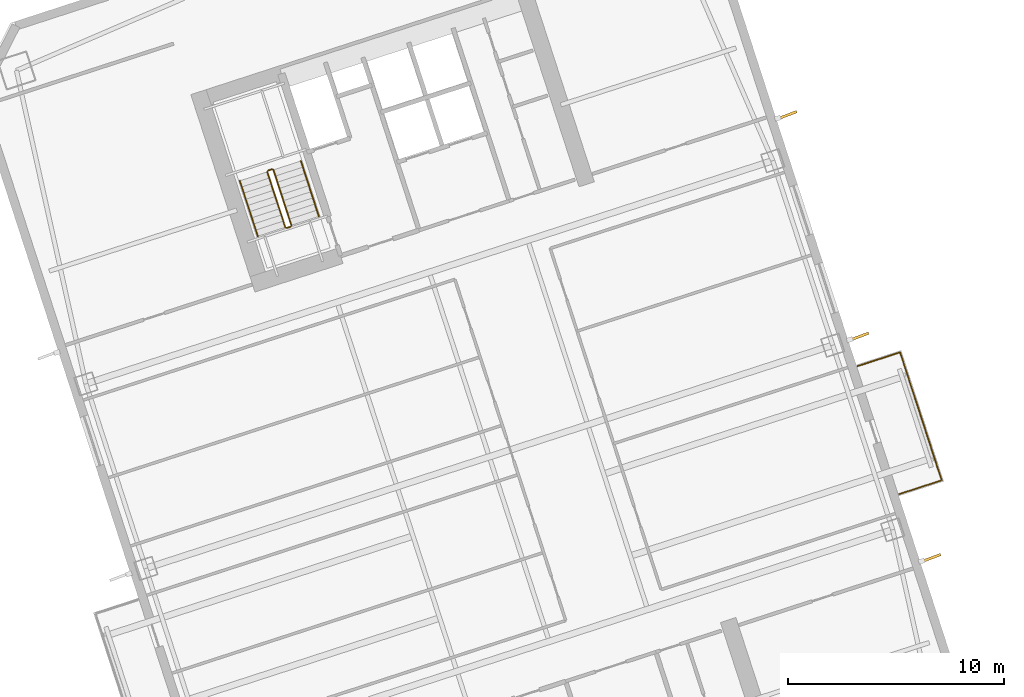
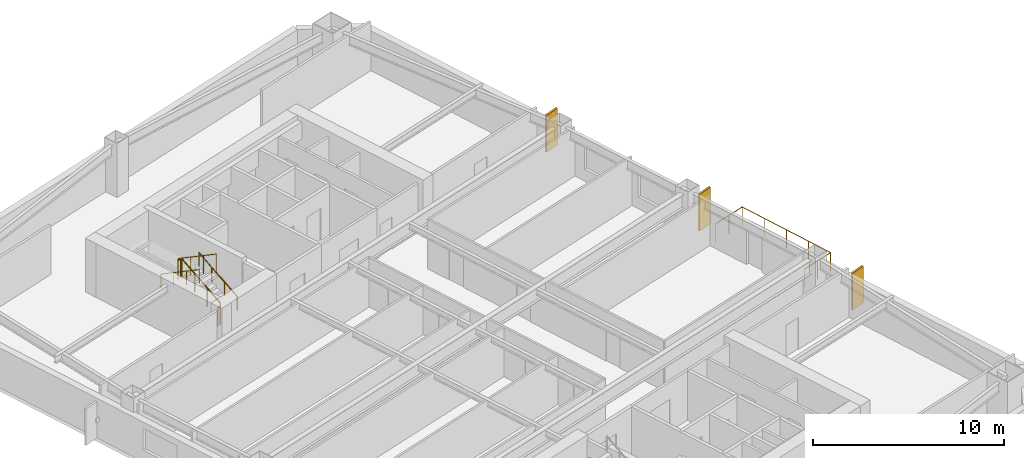
# One storey, part 19 of 19: 7 railings, 3 shading devices.
"""IFC4 building model written with IfcOpenShell, lengths in metres."""

from ifc_helpers import new_model, si_unit, direction, frame, origin, origin_2d, place, context, subcontext, project, spatial, rectangle, circle, extrude, material, layer, layer_set, type_object, element, save


model = new_model("IFC4")

# Units and contexts
model_context = context("Model", 3, precision=1e-05, world=origin(), true_north=direction((0.0, 1.0)))
body_context = subcontext(model_context, "Body", "Model", "MODEL_VIEW")
ifc_project = project(units=[si_unit("LENGTHUNIT", "METRE"), si_unit("AREAUNIT", "SQUARE_METRE"), si_unit("VOLUMEUNIT", "CUBIC_METRE"), si_unit("PLANEANGLEUNIT", "RADIAN"), si_unit("MASSUNIT", "GRAM", prefix="KILO")], contexts=[model_context])

# Site, building, storey
site_placement = place(None, origin())
site = spatial("IfcSite", under=ifc_project, at=site_placement, CompositionType="ELEMENT")
building_placement = place(site_placement, origin())
building = spatial("IfcBuilding", under=site, at=building_placement, Name="Qiaolan Cultural Towers", CompositionType="ELEMENT")
storey_placement = place(building_placement, frame((0.0, 0.0, 88.550048828125)))
storey = spatial("IfcBuildingStorey", under=building, at=storey_placement, Name="L22", CompositionType="ELEMENT", Elevation=88.550048828125)

# Railings
ifc_material_1 = material(Name="Laminated SentryGlas & Stainless Steel S31608 Balustrade", Category="steel")
railing_type_1 = type_object("IfcRailingType", Name="GRD-TERR-1200", PredefinedType="BALUSTRADE", material=ifc_material_1)
railing_1_placement = place(storey_placement, frame((109.014892578125, 32.271240234375, 0.0)))
element("IfcRailing", 1, at=railing_1_placement, inside=storey, type_object=railing_type_1, Name="L22 T2 Tree Balcony Guardrail E", PredefinedType="BALUSTRADE", context=body_context, shape_type="SweptSolid", body=[
    extrude(circle(Radius=0.02392578125, at=origin_2d()), frame((0.0, 0.0, 1.17578125), z_axis=(0.951061799618, 0.309000733507, 0.0), x_axis=(-0.309000733507, 0.951061799618, 0.0)), (0.0, 0.0, 1.0), 2.070068359375),
    extrude(circle(Radius=0.02392578125, at=origin_2d()), frame((1.96875, 0.6396484375, 1.17578125), z_axis=(-0.309047146287, 0.951046718817, 0.0), x_axis=(-0.951046718817, -0.309047146287, 0.0)), (0.0, 0.0, 1.0), 6.239990234375),
    extrude(circle(Radius=0.02392578125, at=origin_2d()), frame((0.040283203125, 6.57421875, 1.17578125), z_axis=(-0.951050536716, -0.309035397023, 0.0), x_axis=(0.309035397023, -0.951050536716, 0.0)), (0.0, 0.0, 1.0), 2.06982421875),
    extrude(circle(Radius=0.02099609375, at=origin_2d()), origin(), (0.0, 0.0, 1.0), 1.15185546875),
    extrude(circle(Radius=0.02099609375, at=origin_2d()), frame((0.984375, 0.31982421875, 0.0)), (0.0, 0.0, 1.0), 1.15185546875),
    extrude(circle(Radius=0.02099609375, at=origin_2d()), frame((1.96875, 0.6396484375, 0.0)), (0.0, 0.0, 1.0), 1.15185546875),
    extrude(circle(Radius=0.02099609375, at=origin_2d()), frame((1.486572265625, 2.123291015625, 0.0)), (0.0, 0.0, 1.0), 1.15185546875),
    extrude(circle(Radius=0.02099609375, at=origin_2d()), frame((1.00439453125, 3.60693359375, 0.0)), (0.0, 0.0, 1.0), 1.15185546875),
    extrude(circle(Radius=0.02099609375, at=origin_2d()), frame((0.5224609375, 5.090576171875, 0.0)), (0.0, 0.0, 1.0), 1.15185546875),
    extrude(circle(Radius=0.02099609375, at=origin_2d()), frame((0.040283203125, 6.57421875, 0.0)), (0.0, 0.0, 1.0), 1.15185546875),
    extrude(circle(Radius=0.02099609375, at=origin_2d()), frame((-0.94384765625, 6.25439453125, 0.0)), (0.0, 0.0, 1.0), 1.15185546875),
    extrude(circle(Radius=0.02099609375, at=origin_2d()), frame((-1.92822265625, 5.9345703125, 0.0)), (0.0, 0.0, 1.0), 1.15185546875),
])
ifc_material_2 = material(Name="Galvanized Painted Steel Stair Guardrail", Category="steel")
railing_type_2 = type_object("IfcRailingType", Name="RL-STAIR-GRD", PredefinedType="GUARDRAIL", material=ifc_material_2)
railing_2_placement = place(storey_placement, frame((80.822021484375, 44.739501953125, 0.17236328125)))
element("IfcRailing", 2, at=railing_2_placement, inside=storey, type_object=railing_type_2, Name="L22 ST-E2 stair guard 1", PredefinedType="GUARDRAIL", context=body_context, shape_type="SweptSolid", body=[
    extrude(circle(Radius=0.02392578125, at=origin_2d()), frame((0.0, 0.0, 1.17578125), z_axis=(-0.26785290645, 0.824488402118, 0.498471358535), x_axis=(-0.951069945308, -0.308975661068, 0.0)), (0.0, 0.0, 1.0), 3.114501953125),
    extrude(circle(Radius=0.02099609375, at=origin_2d()), origin(), (0.0, 0.0, 1.0), 1.15185546875),
    extrude(circle(Radius=0.02099609375, at=origin_2d()), frame((-0.278076171875, 0.85595703125, 0.517578125)), (0.0, 0.0, 1.0), 1.15185546875),
    extrude(circle(Radius=0.02099609375, at=origin_2d()), frame((-0.55615234375, 1.7119140625, 1.034912109375)), (0.0, 0.0, 1.0), 1.15185546875),
    extrude(circle(Radius=0.02099609375, at=origin_2d()), frame((-0.834228515625, 2.56787109375, 1.552490234375)), (0.0, 0.0, 1.0), 1.15185546875),
])
railing_3_placement = place(storey_placement, frame((79.9248046875, 47.33935546875, 1.724853515625)))
element("IfcRailing", 3, at=railing_3_placement, inside=storey, type_object=railing_type_2, Name="L22 ST-E2 stair guard 2", PredefinedType="GUARDRAIL", context=body_context, shape_type="SweptSolid", body=[
    extrude(circle(Radius=0.02392578125, at=origin_2d()), frame((0.0, 0.0, 1.17578125), z_axis=(-0.951096855055, -0.308892816854, 0.0), x_axis=(0.308892816854, -0.951096855055, 0.0)), (0.0, 0.0, 1.0), 0.199951171875),
    extrude(circle(Radius=0.02099609375, at=origin_2d()), origin(), (0.0, 0.0, 1.0), 1.15185546875),
    extrude(circle(Radius=0.02099609375, at=origin_2d()), frame((-0.190185546875, -0.061767578125, 0.0)), (0.0, 0.0, 1.0), 1.15185546875),
])
railing_4_placement = place(storey_placement, frame((79.702392578125, 47.214599609375, 1.8974609375)))
element("IfcRailing", 4, at=railing_4_placement, inside=storey, type_object=railing_type_2, Name="L22 ST-E2 stair guard 3", PredefinedType="GUARDRAIL", context=body_context, shape_type="SweptSolid", body=[
    extrude(circle(Radius=0.02392578125, at=origin_2d()), frame((0.0, 0.0, 1.17578125), z_axis=(0.267925668498, -0.824471088726, 0.498460891159), x_axis=(0.951043371037, 0.309057448393, 0.0)), (0.0, 0.0, 1.0), 3.114501953125),
    extrude(circle(Radius=0.02099609375, at=origin_2d()), origin(), (0.0, 0.0, 1.0), 1.15185546875),
    extrude(circle(Radius=0.02099609375, at=origin_2d()), frame((0.278076171875, -0.85595703125, 0.517578125)), (0.0, 0.0, 1.0), 1.15185546875),
    extrude(circle(Radius=0.02099609375, at=origin_2d()), frame((0.556396484375, -1.7119140625, 1.034912109375)), (0.0, 0.0, 1.0), 1.15185546875),
    extrude(circle(Radius=0.02099609375, at=origin_2d()), frame((0.83447265625, -2.56787109375, 1.552490234375)), (0.0, 0.0, 1.0), 1.15185546875),
])
railing_5_placement = place(storey_placement, frame((80.7900390625, 44.676513671875, 0.0)))
element("IfcRailing", 5, at=railing_5_placement, inside=storey, type_object=railing_type_2, Name="L22 ST-E2 stair guard 4", PredefinedType="GUARDRAIL", context=body_context, shape_type="SweptSolid", body=[
    extrude(circle(Radius=0.02392578125, at=origin_2d()), frame((0.0, 0.0, 1.17578125), z_axis=(-0.951096855055, -0.308892816854, 0.0), x_axis=(0.308892816854, -0.951096855055, 0.0)), (0.0, 0.0, 1.0), 0.199951171875),
    extrude(circle(Radius=0.02099609375, at=origin_2d()), origin(), (0.0, 0.0, 1.0), 1.15185546875),
    extrude(circle(Radius=0.02099609375, at=origin_2d()), frame((-0.190185546875, -0.061767578125, 0.0)), (0.0, 0.0, 1.0), 1.15185546875),
])
ifc_material_3 = material(Name="Stainless Steel S30408 Tubular Handrail", Category="steel")
railing_type_3 = type_object("IfcRailingType", Name="RL-STAIR-HR", PredefinedType="HANDRAIL", material=ifc_material_3)
railing_6_placement = place(storey_placement, frame((82.096435546875, 45.153564453125, 0.17236328125)))
element("IfcRailing", 6, at=railing_6_placement, inside=storey, type_object=railing_type_3, Name="L22 ST-E2 stair handrail 1", PredefinedType="HANDRAIL", context=body_context, shape_type="SweptSolid", body=[
    extrude(circle(Radius=0.02392578125, at=origin_2d()), frame((0.0, 0.0, 0.8759765625), z_axis=(-0.26785290645, 0.824488402118, 0.498471358535), x_axis=(-0.951069945308, -0.308975661068, 0.0)), (0.0, 0.0, 1.0), 3.114501953125),
    extrude(circle(Radius=0.02099609375, at=origin_2d()), origin(), (0.0, 0.0, 1.0), 0.851806640625),
    extrude(circle(Radius=0.02099609375, at=origin_2d()), frame((-0.278076171875, 0.85595703125, 0.517578125)), (0.0, 0.0, 1.0), 0.851806640625),
    extrude(circle(Radius=0.02099609375, at=origin_2d()), frame((-0.55615234375, 1.7119140625, 1.034912109375)), (0.0, 0.0, 1.0), 0.851806640625),
    extrude(circle(Radius=0.02099609375, at=origin_2d()), frame((-0.834228515625, 2.56787109375, 1.552490234375)), (0.0, 0.0, 1.0), 0.851806640625),
])
railing_7_placement = place(storey_placement, frame((78.427978515625, 46.800537109375, 1.8974609375)))
element("IfcRailing", 7, at=railing_7_placement, inside=storey, type_object=railing_type_3, Name="L22 ST-E2 stair handrail 2", PredefinedType="HANDRAIL", context=body_context, shape_type="SweptSolid", body=[
    extrude(circle(Radius=0.02392578125, at=origin_2d()), frame((0.0, 0.0, 0.8759765625), z_axis=(0.267925668498, -0.824471088726, 0.498460891159), x_axis=(0.951043371037, 0.309057448393, 0.0)), (0.0, 0.0, 1.0), 3.114501953125),
    extrude(circle(Radius=0.02099609375, at=origin_2d()), origin(), (0.0, 0.0, 1.0), 0.851806640625),
    extrude(circle(Radius=0.02099609375, at=origin_2d()), frame((0.278076171875, -0.85595703125, 0.517578125)), (0.0, 0.0, 1.0), 0.851806640625),
    extrude(circle(Radius=0.02099609375, at=origin_2d()), frame((0.556396484375, -1.7119140625, 1.034912109375)), (0.0, 0.0, 1.0), 0.851806640625),
    extrude(circle(Radius=0.02099609375, at=origin_2d()), frame((0.83447265625, -2.56787109375, 1.552490234375)), (0.0, 0.0, 1.0), 0.851806640625),
])

# Shading devices
ifc_material_4 = material(Name="Dark Basalt Honed Precast Terracotta Fin", Category="masonry")
ifc_layer = layer(ifc_material_4, 0.1201171875)
ifc_layer_set = layer_set([ifc_layer], Name="Dark Basalt Honed Precast Terracotta Fin")
shading_device_type = type_object("IfcShadingDeviceType", Name="SHD-FIN-DARK", PredefinedType="USERDEFINED", material=ifc_layer_set)
for number, where, z_axis, x_axis, name in (
    (8, (110.513427734375, 29.309326171875, 0.099853515625), (0.0, 0.0, 1.0), (0.936030529583, 0.351918808376, 0.0), "L22 T2 Expressive Precast Vertical Fin E1"),
    (9, (107.176025390625, 39.580810546875, 0.099853515625), (0.0, 0.0, 1.0), (0.936030529583, 0.351918808376, 0.0), "L22 T2 Expressive Precast Vertical Fin E2"),
    (10, (103.838623046875, 49.852294921875, 0.099853515625), (0.0, 0.0, 1.0), (0.936030529583, 0.351918808376, 0.0), "L22 T2 Expressive Precast Vertical Fin E3"),
):
    element("IfcShadingDevice", number, at=place(storey_placement, frame(where, z_axis=z_axis, x_axis=x_axis)), inside=storey, type_object=shading_device_type, Name=name, ObjectType="FIN", PredefinedType="USERDEFINED", context=body_context, shape_type="SweptSolid", body=[
        extrude(rectangle(XDim=0.89990234375, YDim=0.1201171875, at=origin_2d()), origin(), (0.0, 0.0, 1.0), 2.35009765625),
    ])

save(model, "model.ifc")
